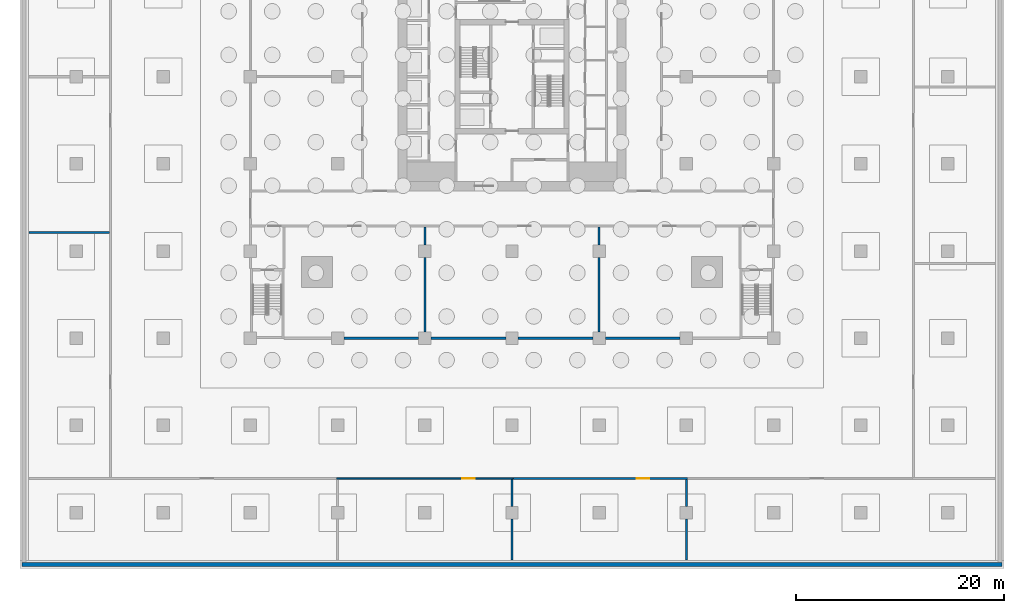
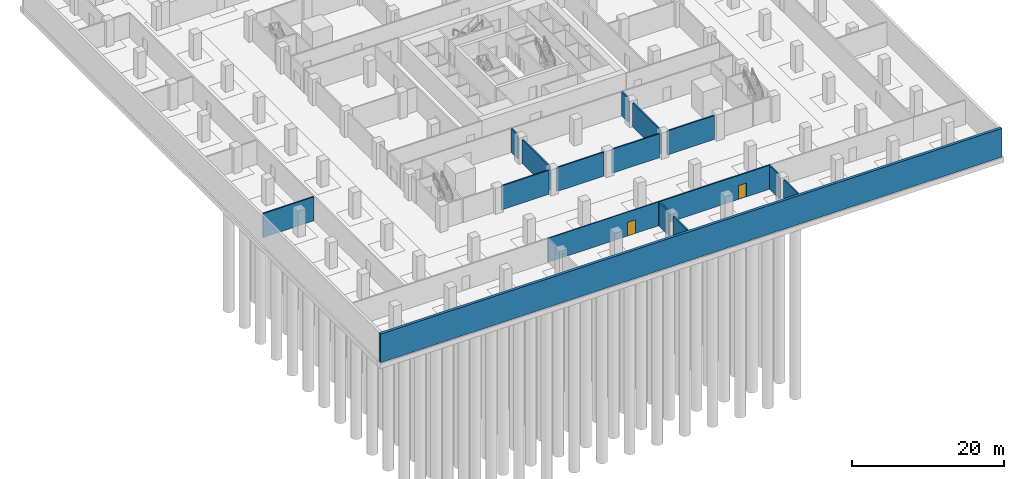
# One storey, part 5 of 19: 16 walls, 2 doors, 2 openings.
"""IFC4 building model written with IfcOpenShell, lengths in metres."""

import ifcopenshell
import ifcopenshell.guid

model = None  # the IFC model being written
_history = None  # IfcOwnerHistory: only IFC2X3 demands one
_inside = {}  # id of a spatial element -> (the spatial element, [elements in it])
_under = {}  # id of a project, library or spatial element -> (it, [spatial elements below it])
_declared = {}  # id of a project -> (the project, [libraries it declares])
_typed = {}  # id of a type object -> (the type object, [elements of that type])
_made_of = {}  # id of a material, layer set ... -> (it, [elements and type objects made of it])


def new_model(schema):
    """Start an empty IFC model of exactly this schema.

    Asked for "IFC4X3", IfcOpenShell would pick the latest addendum, in which some entities
    have other attributes; the version numbers below select the first issue.
    IFC2X3 requires an IfcOwnerHistory on every rooted entity: one is made here for all.
    """
    global model, _history
    if schema == "IFC4X3":
        model = ifcopenshell.file(schema_version=(4, 3, 0, 0))
    else:
        model = ifcopenshell.file(schema=schema)
    _inside.clear()
    _under.clear()
    _declared.clear()
    _typed.clear()
    _made_of.clear()
    _history = None
    if model.schema == "IFC2X3":
        org = make("IfcOrganization", Name="unknown")
        user = make(
            "IfcPersonAndOrganization",
            ThePerson=make("IfcPerson", FamilyName="unknown"),
            TheOrganization=org,
        )
        app = make(
            "IfcApplication",
            ApplicationDeveloper=org,
            Version="unknown",
            ApplicationFullName="unknown",
            ApplicationIdentifier="unknown",
        )
        _history = make(
            "IfcOwnerHistory",
            OwningUser=user,
            OwningApplication=app,
            ChangeAction="ADDED",
            CreationDate=0,
        )
    return model


def make(cls, **values):
    """One entity of the class cls with the attributes given. An attribute that is None is left unset."""
    return model.create_entity(
        cls, **{name: value for name, value in values.items() if value is not None}
    )


def rooted(cls, **values):
    """An entity with a GlobalId (a new one), such as an element, a storey or a relation."""
    return make(cls, GlobalId=ifcopenshell.guid.new(), OwnerHistory=_history, **values)


def si_unit(unit_type, name, prefix=None):
    """IfcSIUnit, for example si_unit("LENGTHUNIT", "METRE", prefix="MILLI")."""
    return make("IfcSIUnit", UnitType=unit_type, Prefix=prefix, Name=name)


def assignment(units):
    """IfcUnitAssignment: the units of a project."""
    return None if units is None else make("IfcUnitAssignment", Units=units)


def point(xyz):
    """IfcCartesianPoint."""
    return None if xyz is None else make("IfcCartesianPoint", Coordinates=xyz)


def direction(xyz):
    """IfcDirection."""
    return None if xyz is None else make("IfcDirection", DirectionRatios=xyz)


def frame(location, z_axis=None, x_axis=None):
    """IfcAxis2Placement3D, a coordinate frame: its origin and axes. An axis left out is left unset."""
    return make(
        "IfcAxis2Placement3D",
        Location=point(location),
        Axis=direction(z_axis),
        RefDirection=direction(x_axis),
    )


def frame_2d(location, x_axis=None):
    """IfcAxis2Placement2D, a coordinate frame in the plane: its origin and x axis."""
    return make(
        "IfcAxis2Placement2D", Location=point(location), RefDirection=direction(x_axis)
    )


def origin():
    """The frame at (0, 0, 0) with its axes left unset."""
    return frame((0.0, 0.0, 0.0))


def place(relative_to, where):
    """IfcLocalPlacement: puts the frame where relative to a parent placement (None: the world)."""
    return make(
        "IfcLocalPlacement", PlacementRelTo=relative_to, RelativePlacement=where
    )


def context(
    kind, dimensions, precision=None, world=None, true_north=None, identifier=None
):
    """IfcGeometricRepresentationContext, for example the 3D "Model" context."""
    return make(
        "IfcGeometricRepresentationContext",
        ContextIdentifier=identifier,
        ContextType=kind,
        CoordinateSpaceDimension=dimensions,
        Precision=precision,
        WorldCoordinateSystem=world,
        TrueNorth=true_north,
    )


def subcontext(parent, identifier, kind, view, scale=None):
    """IfcGeometricRepresentationSubContext, for example "Body" below "Model"."""
    return make(
        "IfcGeometricRepresentationSubContext",
        ContextIdentifier=identifier,
        ContextType=kind,
        ParentContext=parent,
        TargetScale=scale,
        TargetView=view,
    )


def project(units=None, contexts=None):
    """IfcProject with its units and contexts."""
    return rooted(
        "IfcProject",
        Name="project",
        RepresentationContexts=contexts,
        UnitsInContext=assignment(units),
    )


def spatial(cls, under=None, at=None, **own):
    """A site, building, storey or space (cls), placed at a placement, below another one or the project."""
    s = rooted(cls, ObjectPlacement=at, **own)
    if under is not None:
        _under.setdefault(under.id(), (under, []))[1].append(s)
    return s


def profile(cls, at=None, kind="AREA", **sizes):
    """A parametric profile (cls). Its sizes go by their IFC names, for example OverallWidth=200.0."""
    return make(cls, ProfileType=kind, Position=at, **sizes)


def rectangle(**sizes):
    """IfcRectangleProfileDef."""
    return profile("IfcRectangleProfileDef", **sizes)


def extrude(swept, where, along, depth):
    """IfcExtrudedAreaSolid: the profile swept, set in the frame where, extruded along a direction by depth."""
    return make(
        "IfcExtrudedAreaSolid",
        SweptArea=swept,
        Position=where,
        ExtrudedDirection=direction(along),
        Depth=depth,
    )


def shape(context_of_items, identifier, shape_type, items):
    """IfcShapeRepresentation: the items that make up one representation, for example the "Body"."""
    return make(
        "IfcShapeRepresentation",
        ContextOfItems=context_of_items,
        RepresentationIdentifier=identifier,
        RepresentationType=shape_type,
        Items=items,
    )


def material(Name=None, Category=None):
    """IfcMaterial."""
    return make("IfcMaterial", Name=Name, Category=Category)


def layer(
    of_material, thickness, ventilated=None, Name=None, Category=None, Priority=None
):
    """IfcMaterialLayer: one layer of a wall or slab, of a material (None: an air gap)."""
    return make(
        "IfcMaterialLayer",
        Material=of_material,
        LayerThickness=thickness,
        IsVentilated=ventilated,
        Name=Name,
        Category=Category,
        Priority=Priority,
    )


def layer_set(layers, Name=None):
    """IfcMaterialLayerSet."""
    return make("IfcMaterialLayerSet", MaterialLayers=layers, LayerSetName=Name)


def made_of(thing, what):
    """Note that an element or type object is made of a material, layer set ...; save() writes the relation."""
    if what is not None:
        _made_of.setdefault(what.id(), (what, []))[1].append(thing)
    return thing


def type_object(cls, material=None, **own):
    """A type object (cls), such as IfcWallType, which elements share."""
    return made_of(rooted(cls, **own), material)


def element(
    cls,
    number,
    at=None,
    inside=None,
    cuts=None,
    type_object=None,
    material=None,
    context=None,
    identifier="Body",
    shape_type=None,
    held_by="IfcProductDefinitionShape",
    body=None,
    shapes=None,
    **own,
):
    """One element of the class cls, such as IfcWall. Its Tag is "e" and its number.

    at: its placement. inside: the storey or other place that contains it. cuts: it is an
    opening in that element (IfcRelVoidsElement). A single representation is given by context,
    identifier, shape_type and body (its items); several are given by shapes. held_by: the class
    of the entity that holds the representations. save() writes the other relations.
    """
    e = rooted(cls, Tag="e%d" % number, ObjectPlacement=at, **own)
    if body is not None:
        shapes = [shape(context, identifier, shape_type, body)]
    if shapes is not None:
        e.Representation = make(held_by, Representations=shapes)
    if inside is not None:
        _inside.setdefault(inside.id(), (inside, []))[1].append(e)
    if cuts is not None:
        rooted(
            "IfcRelVoidsElement", RelatingBuildingElement=cuts, RelatedOpeningElement=e
        )
    if type_object is not None:
        _typed.setdefault(type_object.id(), (type_object, []))[1].append(e)
    return made_of(e, material)


def fill(opening, filler):
    """IfcRelFillsElement: the door or window that sits in an opening."""
    return rooted(
        "IfcRelFillsElement",
        RelatingOpeningElement=opening,
        RelatedBuildingElement=filler,
    )


def aggregate(whole, parts):
    """IfcRelAggregates: a whole, such as a stair, and the parts it consists of."""
    return rooted("IfcRelAggregates", RelatingObject=whole, RelatedObjects=parts)


def save(model, path):
    """Write the relations noted so far, then the file.

    IfcRelAggregates (storeys below a building ...), IfcRelContainedInSpatialStructure (elements
    in a storey), IfcRelDefinesByType, IfcRelAssociatesMaterial and IfcRelDeclares: one each for
    every whole, place, type object, material and project.
    """
    for whole, parts in _under.values():
        aggregate(whole, parts)
    for where, things in _inside.values():
        rooted(
            "IfcRelContainedInSpatialStructure",
            RelatedElements=things,
            RelatingStructure=where,
        )
    for kind, things in _typed.values():
        rooted("IfcRelDefinesByType", RelatedObjects=things, RelatingType=kind)
    for what, things in _made_of.values():
        rooted("IfcRelAssociatesMaterial", RelatedObjects=things, RelatingMaterial=what)
    for by, libraries in _declared.values():
        rooted("IfcRelDeclares", RelatingContext=by, RelatedDefinitions=libraries)
    model.write(path)


model = new_model("IFC4")

# Units and contexts
model_context = context("Model", 3, precision=1e-05, world=origin(), true_north=direction((0.0, 1.0)))
body_context = subcontext(model_context, "Body", "Model", "MODEL_VIEW")
ifc_project = project(units=[si_unit("LENGTHUNIT", "METRE"), si_unit("AREAUNIT", "SQUARE_METRE"), si_unit("VOLUMEUNIT", "CUBIC_METRE"), si_unit("PLANEANGLEUNIT", "RADIAN"), si_unit("MASSUNIT", "GRAM", prefix="KILO")], contexts=[model_context])

# Site, building, storey
site_placement = place(None, origin())
site = spatial("IfcSite", under=ifc_project, at=site_placement, CompositionType="ELEMENT")
building_placement = place(site_placement, origin())
building = spatial("IfcBuilding", under=site, at=building_placement, Name="Khepri Terraces", CompositionType="ELEMENT")
storey_placement = place(building_placement, frame((0.0, 0.0, -8.39990234375)))
storey = spatial("IfcBuildingStorey", under=building, at=storey_placement, Name="B2", CompositionType="ELEMENT", Elevation=-8.39990234375)

# Wall
ifc_material_1 = material(Name="Concrete C60/75", Category="concrete")
ifc_layer_1 = layer(ifc_material_1, 0.39990234375, Name="Concrete C60/75", Category="concrete")
ifc_layer_set_1 = layer_set([ifc_layer_1], Name="Concrete C60/75")
wall_type_1 = type_object("IfcWallType", Name="Retaining wall RW1", PredefinedType="USERDEFINED", material=ifc_layer_set_1)
wall_1_placement = place(storey_placement, frame((-47.199951171875, -47.0, -0.400146484375), z_axis=(0.0, 0.0, 1.0), x_axis=(1.0, 0.0, 0.0)))
element("IfcWall", 1, at=wall_1_placement, inside=storey, type_object=wall_type_1, Name="Basement retaining wall S B2", ObjectType="RETAINING WALL", PredefinedType="USERDEFINED", context=body_context, shape_type="SweptSolid", body=[
    extrude(rectangle(XDim=94.39990234375, YDim=0.39990234375, at=frame_2d((47.199951171875, 0.0))), origin(), (0.0, 0.0, 1.0), 4.60009765625),
])

# Wall, opening, door
ifc_material_2 = material(Name="Gypsum board partition")
ifc_layer_2 = layer(ifc_material_2, 0.14990234375, Name="Gypsum board partition")
ifc_layer_set_2 = layer_set([ifc_layer_2], Name="Gypsum board partition")
wall_type_2 = type_object("IfcWallType", Name="WL-POD-150", PredefinedType="PARTITIONING", material=ifc_layer_set_2)
wall_2_placement = place(storey_placement, frame((-16.89990234375, -38.699951171875, 0.0), z_axis=(0.0, 0.0, 1.0), x_axis=(1.0, 0.0, 0.0)))
wall_2 = element("IfcWall", 2, at=wall_2_placement, inside=storey, type_object=wall_type_2, Name="Partition B2-PW002", PredefinedType="PARTITIONING", context=body_context, shape_type="SweptSolid", body=[
    extrude(rectangle(XDim=17.0, YDim=0.14990234375, at=frame_2d((8.5, 0.0))), origin(), (0.0, 0.0, 1.0), 3.849853515625),
])
opening_1_placement = place(wall_2_placement, frame((12.10009765625, 0.0, 0.0)))
opening_1 = element("IfcOpeningElement", 3, at=opening_1_placement, cuts=wall_2, Name="Opening B2-P02", PredefinedType="OPENING", context=body_context, shape_type="SweptSolid", body=[
    extrude(rectangle(XDim=1.199951171875, YDim=2.199951171875, at=frame_2d((0.60009765625, 1.10009765625))), frame((0.0, 0.0849609375, 0.0), z_axis=(0.0, -1.0, 0.0), x_axis=(1.0, 0.0, 0.0)), (0.0, 0.0, 1.0), 0.169921875),
])
ifc_material_3 = material(Name="Timber veneer", Category="wood")
door_type_1 = type_object("IfcDoorType", Name="DR-POD-SINGLE-1200", OperationType="NOTDEFINED", PredefinedType="DOOR", material=ifc_material_3)
door_1_placement = place(opening_1_placement, origin())
door_1 = element("IfcDoor", 4, at=door_1_placement, inside=storey, type_object=door_type_1, Name="Door B2-P02", OperationType="SINGLE_SWING_LEFT", OverallHeight=2.199951171875, OverallWidth=1.199951171875, PredefinedType="DOOR", context=body_context, shape_type="SweptSolid", body=[
    extrude(rectangle(XDim=1.199951171875, YDim=2.199951171875, at=frame_2d((0.60009765625, 1.10009765625))), frame((0.0, 0.02490234375, 0.0), z_axis=(0.0, -1.0, 0.0), x_axis=(1.0, 0.0, 0.0)), (0.0, 0.0, 1.0), 0.050048828125),
])
fill(opening_1, door_1)

ifc_material_4 = material(Name="Fire-rated block wall")
ifc_layer_3 = layer(ifc_material_4, 0.199951171875, Name="Fire-rated block wall")
ifc_layer_set_3 = layer_set([ifc_layer_3], Name="Fire-rated block wall")
wall_type_3 = type_object("IfcWallType", Name="WL-POD-200-EI120", PredefinedType="PARTITIONING", material=ifc_layer_set_3)
wall_3_placement = place(storey_placement, frame((-0.10009765625, -38.699951171875, 0.0), z_axis=(0.0, 0.0, 1.0), x_axis=(1.0, 0.0, 0.0)))
wall_3 = element("IfcWall", 5, at=wall_3_placement, inside=storey, type_object=wall_type_3, Name="Partition B2-PW003", PredefinedType="PARTITIONING", context=body_context, shape_type="SweptSolid", body=[
    extrude(rectangle(XDim=17.0, YDim=0.199951171875, at=frame_2d((8.5, 0.0))), origin(), (0.0, 0.0, 1.0), 3.849853515625),
])
opening_2_placement = place(wall_3_placement, frame((12.10009765625, 0.0, 0.0)))
opening_2 = element("IfcOpeningElement", 6, at=opening_2_placement, cuts=wall_3, Name="Opening B2-P03", PredefinedType="OPENING", context=body_context, shape_type="SweptSolid", body=[
    extrude(rectangle(XDim=1.199951171875, YDim=2.199951171875, at=frame_2d((0.60009765625, 1.10009765625))), frame((0.0, 0.10986328125, 0.0), z_axis=(0.0, -1.0, 0.0), x_axis=(1.0, 0.0, 0.0)), (0.0, 0.0, 1.0), 0.219970703125),
])
ifc_material_5 = material(Name="Painted steel", Category="steel")
door_type_2 = type_object("IfcDoorType", Name="DR-POD-PLANT-1200", OperationType="NOTDEFINED", PredefinedType="DOOR", material=ifc_material_5)
door_2_placement = place(opening_2_placement, origin())
door_2 = element("IfcDoor", 7, at=door_2_placement, inside=storey, type_object=door_type_2, Name="Plant room door B2-P03", OperationType="SINGLE_SWING_LEFT", OverallHeight=2.199951171875, OverallWidth=1.199951171875, PredefinedType="DOOR", context=body_context, shape_type="SweptSolid", body=[
    extrude(rectangle(XDim=1.199951171875, YDim=2.199951171875, at=frame_2d((0.60009765625, 1.10009765625))), frame((0.0, 0.02490234375, 0.0), z_axis=(0.0, -1.0, 0.0), x_axis=(1.0, 0.0, 0.0)), (0.0, 0.0, 1.0), 0.050048828125),
])
fill(opening_2, door_2)

# Walls
for number, where, z_axis, x_axis, name in (
    (8, (-16.199951171875, -25.199951171875, 0.0), (0.0, 0.0, 1.0), (1.0, 0.0, 0.0), "Partition B2-PW007"),
    (9, (-7.800048828125, -25.199951171875, 0.0), (0.0, 0.0, 1.0), (1.0, 0.0, 0.0), "Partition B2-PW008"),
    (10, (0.60009765625, -25.199951171875, 0.0), (0.0, 0.0, 1.0), (1.0, 0.0, 0.0), "Partition B2-PW009"),
    (11, (9.0, -25.199951171875, 0.0), (0.0, 0.0, 1.0), (1.0, 0.0, 0.0), "Partition B2-PW010"),
):
    element("IfcWall", number, at=place(storey_placement, frame(where, z_axis=z_axis, x_axis=x_axis)), inside=storey, type_object=wall_type_3, Name=name, PredefinedType="PARTITIONING", context=body_context, shape_type="SweptSolid", body=[
        extrude(rectangle(XDim=7.199951171875, YDim=0.199951171875, at=frame_2d((3.60009765625, 0.0))), origin(), (0.0, 0.0, 1.0), 3.849853515625),
    ])
wall_4_placement = place(storey_placement, frame((-46.550048828125, -15.0, 0.0), z_axis=(0.0, 0.0, 1.0), x_axis=(1.0, 0.0, 0.0)))
element("IfcWall", 12, at=wall_4_placement, inside=storey, type_object=wall_type_3, Name="Partition B2-PW013", PredefinedType="PARTITIONING", context=body_context, shape_type="SweptSolid", body=[
    extrude(rectangle(XDim=7.75, YDim=0.199951171875, at=frame_2d((3.875, 0.0))), origin(), (0.0, 0.0, 1.0), 3.849853515625),
])
wall_5_placement = place(storey_placement, frame((-8.39990234375, -24.60009765625, 0.0), z_axis=(0.0, 0.0, 1.0), x_axis=(0.0, 1.0, 0.0)))
element("IfcWall", 13, at=wall_5_placement, inside=storey, type_object=wall_type_3, Name="Partition B2-PW074", PredefinedType="PARTITIONING", context=body_context, shape_type="SweptSolid", body=[
    extrude(rectangle(XDim=7.2001953125, YDim=0.199951171875, at=frame_2d((3.60009765625, 0.0))), origin(), (0.0, 0.0, 1.0), 3.849853515625),
])
wall_6_placement = place(storey_placement, frame((-8.39990234375, -16.199951171875, 0.0), z_axis=(0.0, 0.0, 1.0), x_axis=(0.0, 1.0, 0.0)))
element("IfcWall", 14, at=wall_6_placement, inside=storey, type_object=wall_type_3, Name="Partition B2-PW075", PredefinedType="PARTITIONING", context=body_context, shape_type="SweptSolid", body=[
    extrude(rectangle(XDim=1.699951171875, YDim=0.199951171875, at=frame_2d((0.85009765625, 0.0))), origin(), (0.0, 0.0, 1.0), 3.849853515625),
])
wall_7_placement = place(storey_placement, frame((0.0, -46.550048828125, 0.0), z_axis=(0.0, 0.0, 1.0), x_axis=(0.0, 1.0, 0.0)))
element("IfcWall", 15, at=wall_7_placement, inside=storey, type_object=wall_type_3, Name="Partition B2-PW078", PredefinedType="PARTITIONING", context=body_context, shape_type="SweptSolid", body=[
    extrude(rectangle(XDim=3.949951171875, YDim=0.199951171875, at=frame_2d((1.97509765625, 0.0))), origin(), (0.0, 0.0, 1.0), 3.849853515625),
])
wall_8_placement = place(storey_placement, frame((0.0, -41.39990234375, 0.0), z_axis=(0.0, 0.0, 1.0), x_axis=(0.0, 1.0, 0.0)))
element("IfcWall", 16, at=wall_8_placement, inside=storey, type_object=wall_type_3, Name="Partition B2-PW079", PredefinedType="PARTITIONING", context=body_context, shape_type="SweptSolid", body=[
    extrude(rectangle(XDim=2.599853515625, YDim=0.199951171875, at=frame_2d((1.2998046875, 0.0))), origin(), (0.0, 0.0, 1.0), 3.849853515625),
])
wall_9_placement = place(storey_placement, frame((8.39990234375, -24.60009765625, 0.0), z_axis=(0.0, 0.0, 1.0), x_axis=(0.0, 1.0, 0.0)))
element("IfcWall", 17, at=wall_9_placement, inside=storey, type_object=wall_type_3, Name="Partition B2-PW082", PredefinedType="PARTITIONING", context=body_context, shape_type="SweptSolid", body=[
    extrude(rectangle(XDim=7.2001953125, YDim=0.199951171875, at=frame_2d((3.60009765625, 0.0))), origin(), (0.0, 0.0, 1.0), 3.849853515625),
])
wall_10_placement = place(storey_placement, frame((8.39990234375, -16.199951171875, 0.0), z_axis=(0.0, 0.0, 1.0), x_axis=(0.0, 1.0, 0.0)))
element("IfcWall", 18, at=wall_10_placement, inside=storey, type_object=wall_type_3, Name="Partition B2-PW083", PredefinedType="PARTITIONING", context=body_context, shape_type="SweptSolid", body=[
    extrude(rectangle(XDim=1.699951171875, YDim=0.199951171875, at=frame_2d((0.85009765625, 0.0))), origin(), (0.0, 0.0, 1.0), 3.849853515625),
])
wall_11_placement = place(storey_placement, frame((16.800048828125, -46.550048828125, 0.0), z_axis=(0.0, 0.0, 1.0), x_axis=(0.0, 1.0, 0.0)))
element("IfcWall", 19, at=wall_11_placement, inside=storey, type_object=wall_type_3, Name="Partition B2-PW087", PredefinedType="PARTITIONING", context=body_context, shape_type="SweptSolid", body=[
    extrude(rectangle(XDim=3.949951171875, YDim=0.199951171875, at=frame_2d((1.97509765625, 0.0))), origin(), (0.0, 0.0, 1.0), 3.849853515625),
])
wall_12_placement = place(storey_placement, frame((16.800048828125, -41.39990234375, 0.0), z_axis=(0.0, 0.0, 1.0), x_axis=(0.0, 1.0, 0.0)))
element("IfcWall", 20, at=wall_12_placement, inside=storey, type_object=wall_type_3, Name="Partition B2-PW088", PredefinedType="PARTITIONING", context=body_context, shape_type="SweptSolid", body=[
    extrude(rectangle(XDim=2.599853515625, YDim=0.199951171875, at=frame_2d((1.2998046875, 0.0))), origin(), (0.0, 0.0, 1.0), 3.849853515625),
])

save(model, "model.ifc")
